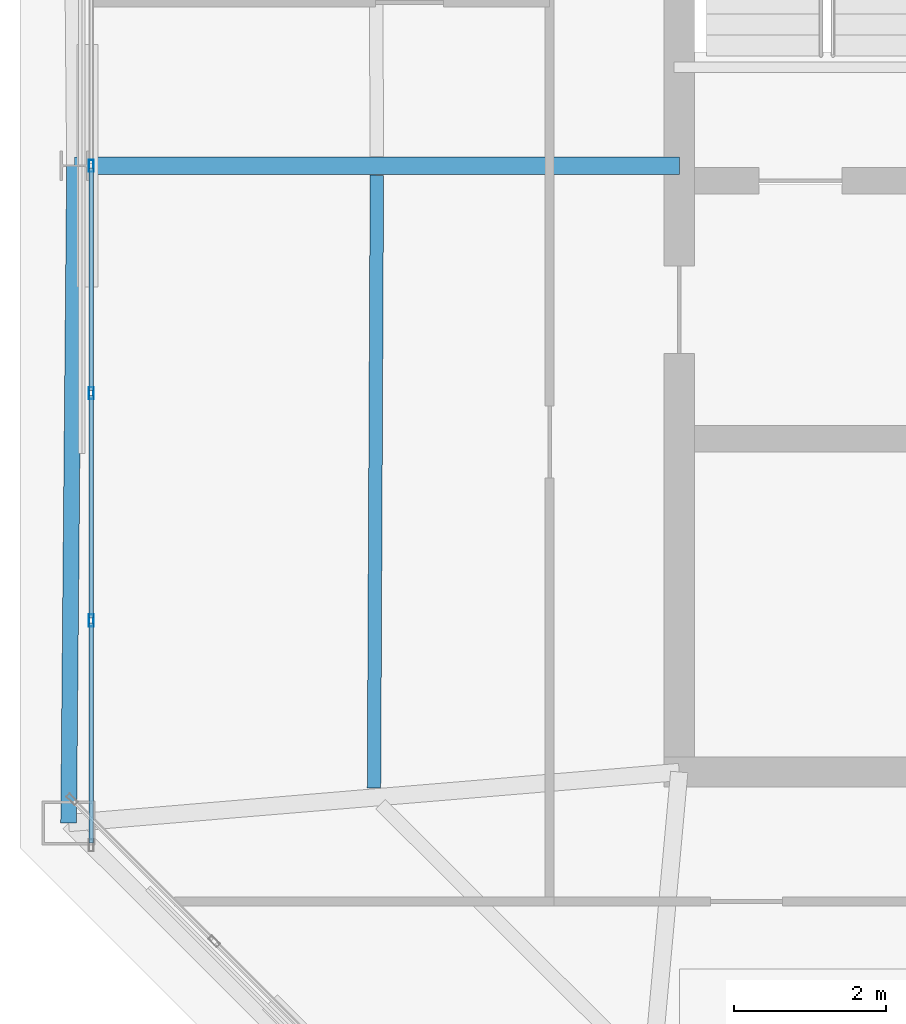
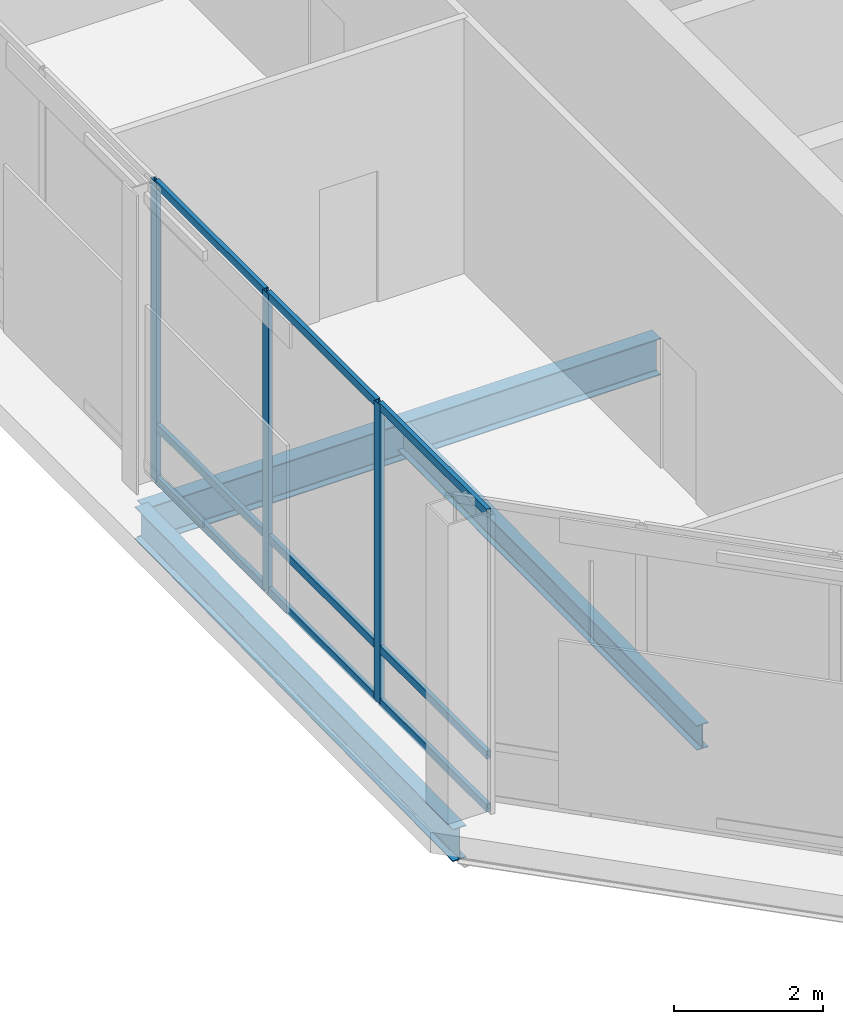
# One storey, part 4 of 21: 12 members, 3 beams, 1 element without a shape of its own.
"""IFC4 building model written with IfcOpenShell, lengths in metres."""

from ifc_helpers import new_model, si_unit, direction, frame, origin, origin_2d, place, context, subcontext, project, spatial, hollow_rectangle, i_section, extrude, material, layer, layer_set, material_profile, profile_set, type_object, element, aggregate, save


model = new_model("IFC4")

# Units and contexts
model_context = context("Model", 3, precision=1e-05, world=origin(), true_north=direction((0.0, 1.0)))
body_context = subcontext(model_context, "Body", "Model", "MODEL_VIEW")
ifc_project = project(units=[si_unit("LENGTHUNIT", "METRE"), si_unit("AREAUNIT", "SQUARE_METRE"), si_unit("VOLUMEUNIT", "CUBIC_METRE"), si_unit("PLANEANGLEUNIT", "RADIAN"), si_unit("MASSUNIT", "GRAM", prefix="KILO")], contexts=[model_context])

# Site, building, storey
site_placement = place(None, origin())
site = spatial("IfcSite", under=ifc_project, at=site_placement, CompositionType="ELEMENT")
building_placement = place(site_placement, origin())
building = spatial("IfcBuilding", under=site, at=building_placement, Name="Caelvoria Tower", CompositionType="ELEMENT")
storey_placement = place(building_placement, frame((0.0, 0.0, 279.0)))
storey = spatial("IfcBuildingStorey", under=building, at=storey_placement, Name="L74", CompositionType="ELEMENT", Elevation=279.0)

# Curtain wall, members
ifc_material_1 = material(Name="Anodised Bronze Aluminium and Low-E Glass", Category="aluminium")
ifc_layer = layer(ifc_material_1, 0.205078125, Name="Anodised Bronze Aluminium and Low-E Glass")
ifc_layer_set = layer_set([ifc_layer], Name="CW System 5 Observation Panorama Low-Iron Facade - Anodised Bronze Aluminium and Low-E Glass")
curtain_wall_type = type_object("IfcCurtainWallType", Name="CW System 5 Observation Panorama Low-Iron Facade", PredefinedType="NOTDEFINED", material=ifc_layer_set)
curtain_wall_placement = place(storey_placement, origin())
curtain_wall = element("IfcCurtainWall", 1, at=curtain_wall_placement, inside=storey, type_object=curtain_wall_type, Name="CW-05 Curtain Wall L74-E6", PredefinedType="NOTDEFINED")
ifc_material_2 = material(Name="Anodised Bronze Architectural Aluminium", Category="aluminium")
ifc_material_profile_1 = material_profile(ifc_material_2, hollow_rectangle(XDim=0.06494140625, YDim=0.159912109375, WallThickness=0.00390625, at=origin_2d()), Name="Anodised Bronze Architectural Aluminium")
ifc_profile_set_1 = profile_set([ifc_material_profile_1], Name="CW_MULL_65X160 - Anodised Bronze Architectural Aluminium")
member_type_1 = type_object("IfcMemberType", Name="Curtain Wall Mullion 65x160 Bronze Aluminium", PredefinedType="MULLION", material=ifc_profile_set_1)
member_1_placement = place(storey_placement, frame((29.239990234375, 32.0, 0.0), z_axis=(0.0, 0.0, 1.0), x_axis=(1.0, 0.0, 0.0)))
member_1 = element("IfcMember", 2, at=member_1_placement, type_object=member_type_1, Name="CW-05 mullion 4", PredefinedType="MULLION", context=body_context, shape_type="SweptSolid", body=[
    extrude(hollow_rectangle(XDim=0.06494140625, YDim=0.159912109375, WallThickness=0.00390625, at=origin_2d()), origin(), (0.0, 0.0, 1.0), 4.89990234375),
])
member_2_placement = place(storey_placement, frame((29.239990234375, 29.0, 0.0), z_axis=(0.0, 0.0, 1.0), x_axis=(1.0, 0.0, 0.0)))
member_2 = element("IfcMember", 3, at=member_2_placement, type_object=member_type_1, Name="CW-05 mullion 5", PredefinedType="MULLION", context=body_context, shape_type="SweptSolid", body=[
    extrude(hollow_rectangle(XDim=0.06494140625, YDim=0.159912109375, WallThickness=0.00390625, at=origin_2d()), origin(), (0.0, 0.0, 1.0), 4.89990234375),
])
member_3_placement = place(storey_placement, frame((29.239990234375, 26.0, 0.0), z_axis=(0.0, 0.0, 1.0), x_axis=(1.0, 0.0, 0.0)))
member_3 = element("IfcMember", 4, at=member_3_placement, type_object=member_type_1, Name="CW-05 mullion 6", PredefinedType="MULLION", context=body_context, shape_type="SweptSolid", body=[
    extrude(hollow_rectangle(XDim=0.06494140625, YDim=0.159912109375, WallThickness=0.00390625, at=origin_2d()), origin(), (0.0, 0.0, 1.0), 4.89990234375),
])
ifc_material_profile_2 = material_profile(ifc_material_2, hollow_rectangle(XDim=0.06494140625, YDim=0.1298828125, WallThickness=0.00341796875, at=origin_2d()), Name="Anodised Bronze Architectural Aluminium")
ifc_profile_set_2 = profile_set([ifc_material_profile_2], Name="CW_TRAN_65X130 - Anodised Bronze Architectural Aluminium")
member_type_2 = type_object("IfcMemberType", Name="Curtain Wall Transom 65x130 Bronze Aluminium", PredefinedType="USERDEFINED", material=ifc_profile_set_2)
member_4_placement = place(storey_placement, frame((29.239990234375, 31.967529296875, 0.032470703125), z_axis=(0.0, -1.0, 0.0), x_axis=(1.0, 0.0, 0.0)))
member_4 = element("IfcMember", 5, at=member_4_placement, type_object=member_type_2, Name="CW-05 transom 4.1", ObjectType="TRANSOM", PredefinedType="USERDEFINED", context=body_context, shape_type="SweptSolid", body=[
    extrude(hollow_rectangle(XDim=0.06494140625, YDim=0.1298828125, WallThickness=0.00341796875, at=origin_2d()), origin(), (0.0, 0.0, 1.0), 2.93505859375),
])
member_5_placement = place(storey_placement, frame((29.239990234375, 31.967529296875, 0.89990234375), z_axis=(0.0, -1.0, 0.0), x_axis=(1.0, 0.0, 0.0)))
member_5 = element("IfcMember", 6, at=member_5_placement, type_object=member_type_2, Name="CW-05 transom 4.2", ObjectType="TRANSOM", PredefinedType="USERDEFINED", context=body_context, shape_type="SweptSolid", body=[
    extrude(hollow_rectangle(XDim=0.06494140625, YDim=0.1298828125, WallThickness=0.00341796875, at=origin_2d()), origin(), (0.0, 0.0, 1.0), 2.93505859375),
])
member_6_placement = place(storey_placement, frame((29.239990234375, 31.967529296875, 4.867431640625), z_axis=(0.0, -1.0, 0.0), x_axis=(1.0, 0.0, 0.0)))
member_6 = element("IfcMember", 7, at=member_6_placement, type_object=member_type_2, Name="CW-05 transom 4.3", ObjectType="TRANSOM", PredefinedType="USERDEFINED", context=body_context, shape_type="SweptSolid", body=[
    extrude(hollow_rectangle(XDim=0.06494140625, YDim=0.1298828125, WallThickness=0.00341796875, at=origin_2d()), origin(), (0.0, 0.0, 1.0), 2.93505859375),
])
member_7_placement = place(storey_placement, frame((29.239990234375, 28.967529296875, 0.032470703125), z_axis=(0.0, -1.0, 0.0), x_axis=(1.0, 0.0, 0.0)))
member_7 = element("IfcMember", 8, at=member_7_placement, type_object=member_type_2, Name="CW-05 transom 5.1", ObjectType="TRANSOM", PredefinedType="USERDEFINED", context=body_context, shape_type="SweptSolid", body=[
    extrude(hollow_rectangle(XDim=0.06494140625, YDim=0.1298828125, WallThickness=0.00341796875, at=origin_2d()), origin(), (0.0, 0.0, 1.0), 2.93505859375),
])
member_8_placement = place(storey_placement, frame((29.239990234375, 28.967529296875, 0.89990234375), z_axis=(0.0, -1.0, 0.0), x_axis=(1.0, 0.0, 0.0)))
member_8 = element("IfcMember", 9, at=member_8_placement, type_object=member_type_2, Name="CW-05 transom 5.2", ObjectType="TRANSOM", PredefinedType="USERDEFINED", context=body_context, shape_type="SweptSolid", body=[
    extrude(hollow_rectangle(XDim=0.06494140625, YDim=0.1298828125, WallThickness=0.00341796875, at=origin_2d()), origin(), (0.0, 0.0, 1.0), 2.93505859375),
])
member_9_placement = place(storey_placement, frame((29.239990234375, 28.967529296875, 4.867431640625), z_axis=(0.0, -1.0, 0.0), x_axis=(1.0, 0.0, 0.0)))
member_9 = element("IfcMember", 10, at=member_9_placement, type_object=member_type_2, Name="CW-05 transom 5.3", ObjectType="TRANSOM", PredefinedType="USERDEFINED", context=body_context, shape_type="SweptSolid", body=[
    extrude(hollow_rectangle(XDim=0.06494140625, YDim=0.1298828125, WallThickness=0.00341796875, at=origin_2d()), origin(), (0.0, 0.0, 1.0), 2.93505859375),
])
member_10_placement = place(storey_placement, frame((29.239990234375, 25.967529296875, 0.032470703125), z_axis=(0.0, -1.0, 0.0), x_axis=(1.0, 0.0, 0.0)))
member_10 = element("IfcMember", 11, at=member_10_placement, type_object=member_type_2, Name="CW-05 transom 6.1", ObjectType="TRANSOM", PredefinedType="USERDEFINED", context=body_context, shape_type="SweptSolid", body=[
    extrude(hollow_rectangle(XDim=0.06494140625, YDim=0.1298828125, WallThickness=0.00341796875, at=origin_2d()), origin(), (0.0, 0.0, 1.0), 2.902587890625),
])
member_11_placement = place(storey_placement, frame((29.239990234375, 25.967529296875, 0.89990234375), z_axis=(0.0, -1.0, 0.0), x_axis=(1.0, 0.0, 0.0)))
member_11 = element("IfcMember", 12, at=member_11_placement, type_object=member_type_2, Name="CW-05 transom 6.2", ObjectType="TRANSOM", PredefinedType="USERDEFINED", context=body_context, shape_type="SweptSolid", body=[
    extrude(hollow_rectangle(XDim=0.06494140625, YDim=0.1298828125, WallThickness=0.00341796875, at=origin_2d()), origin(), (0.0, 0.0, 1.0), 2.902587890625),
])
member_12_placement = place(storey_placement, frame((29.239990234375, 25.967529296875, 4.867431640625), z_axis=(0.0, -1.0, 0.0), x_axis=(1.0, 0.0, 0.0)))
member_12 = element("IfcMember", 13, at=member_12_placement, type_object=member_type_2, Name="CW-05 transom 6.3", ObjectType="TRANSOM", PredefinedType="USERDEFINED", context=body_context, shape_type="SweptSolid", body=[
    extrude(hollow_rectangle(XDim=0.06494140625, YDim=0.1298828125, WallThickness=0.00341796875, at=origin_2d()), origin(), (0.0, 0.0, 1.0), 2.902587890625),
])
aggregate(curtain_wall, [member_1, member_2, member_3, member_4, member_5, member_6, member_7, member_8, member_9, member_10, member_11, member_12])

# Beams
ifc_material_3 = material(Name="Structural Steel ASTM A992 Gr.50", Category="steel")
ifc_material_profile_3 = material_profile(ifc_material_3, i_section(OverallWidth=0.22802734375, OverallDepth=0.60302734375, WebThickness=0.010498046875, FlangeThickness=0.014892578125, FilletRadius=0.01806640625, at=origin_2d()), Name="Structural Steel ASTM A992 Gr.50")
ifc_profile_set_3 = profile_set([ifc_material_profile_3], Name="W610X101 - Structural Steel ASTM A992 Gr.50")
beam_type_1 = type_object("IfcBeamType", Name="Primary Floor Girder W610X101", PredefinedType="BEAM", material=ifc_profile_set_3)
beam_1_placement = place(storey_placement, frame((37.0, 32.0, -0.6416015625), z_axis=(-1.0, 0.0, 0.0), x_axis=(0.0, -1.0, 0.0)))
element("IfcBeam", 14, at=beam_1_placement, inside=storey, type_object=beam_type_1, Name="Primary Floor Girder L74-10", PredefinedType="BEAM", context=body_context, shape_type="SweptSolid", body=[
    extrude(i_section(OverallWidth=0.22802734375, OverallDepth=0.60302734375, WebThickness=0.010498046875, FlangeThickness=0.014892578125, FilletRadius=0.01806640625, at=origin_2d()), origin(), (0.0, 0.0, 1.0), 7.97998046875),
])
ifc_material_profile_4 = material_profile(ifc_material_3, i_section(OverallWidth=0.177978515625, OverallDepth=0.406982421875, WebThickness=0.0078125, FlangeThickness=0.0126953125, FilletRadius=0.013916015625, at=origin_2d()), Name="Structural Steel ASTM A992 Gr.50")
ifc_profile_set_4 = profile_set([ifc_material_profile_4], Name="W410X60 - Structural Steel ASTM A992 Gr.50")
beam_type_2 = type_object("IfcBeamType", Name="Secondary Floor Beam W410X60", PredefinedType="BEAM", material=ifc_profile_set_4)
beam_2_placement = place(storey_placement, frame((33.009521484375, 31.875, -0.54345703125), z_axis=(-0.00470952391, -0.999988910131, 0.0), x_axis=(0.999988910131, -0.00470952391, 0.0)))
element("IfcBeam", 15, at=beam_2_placement, inside=storey, type_object=beam_type_2, Name="Secondary Floor Beam L74-10", PredefinedType="BEAM", context=body_context, shape_type="SweptSolid", body=[
    extrude(i_section(OverallWidth=0.177978515625, OverallDepth=0.406982421875, WebThickness=0.0078125, FlangeThickness=0.0126953125, FilletRadius=0.013916015625, at=origin_2d()), origin(), (0.0, 0.0, 1.0), 8.0869140625),
])
ifc_material_profile_5 = material_profile(ifc_material_3, i_section(OverallWidth=0.208984375, OverallDepth=0.532958984375, WebThickness=0.01025390625, FlangeThickness=0.015625, FilletRadius=0.01611328125, at=origin_2d()), Name="Structural Steel ASTM A992 Gr.50")
ifc_profile_set_5 = profile_set([ifc_material_profile_5], Name="W530X92 - Structural Steel ASTM A992 Gr.50")
beam_type_3 = type_object("IfcBeamType", Name="Upper Zone Spandrel W530X92", PredefinedType="BEAM", material=ifc_profile_set_5)
beam_3_placement = place(storey_placement, frame((29.02001953125, 32.0, -0.6064453125), z_axis=(-0.009006868577, -0.999959437337, 0.0), x_axis=(0.999959437337, -0.009006868577, 0.0)))
element("IfcBeam", 16, at=beam_3_placement, inside=storey, type_object=beam_type_3, Name="Perimeter Spandrel Girder L74-10", PredefinedType="BEAM", context=body_context, shape_type="SweptSolid", body=[
    extrude(i_section(OverallWidth=0.208984375, OverallDepth=0.532958984375, WebThickness=0.01025390625, FlangeThickness=0.015625, FilletRadius=0.01611328125, at=origin_2d()), origin(), (0.0, 0.0, 1.0), 8.673828125),
])

save(model, "model.ifc")
